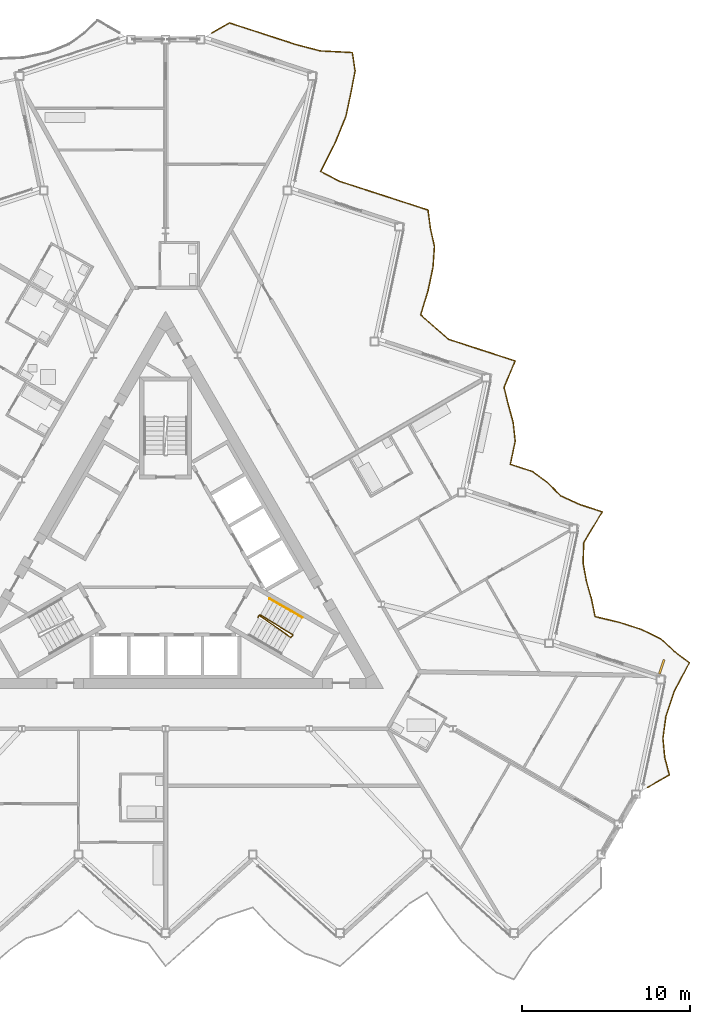
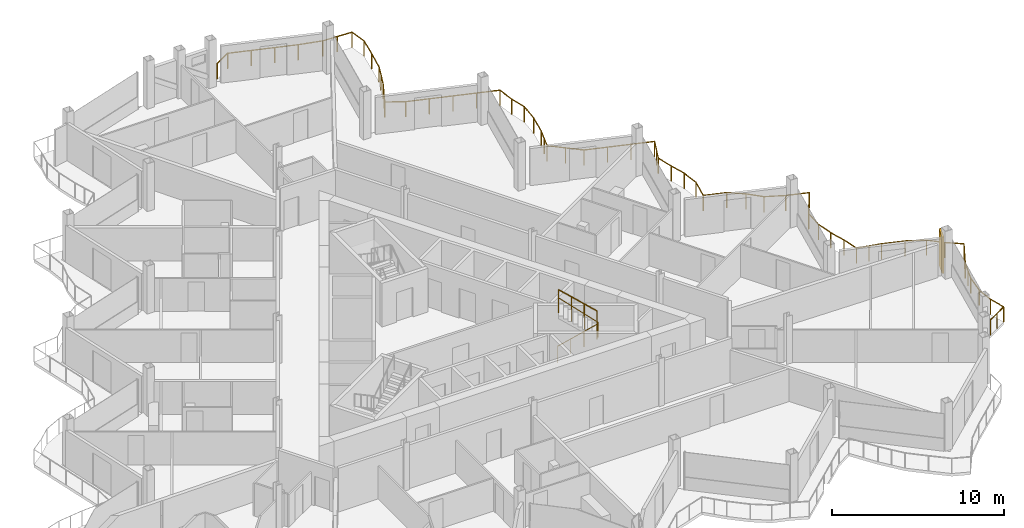
# One storey, part 23 of 26: 3 railings, 1 shading device.
"""IFC4 building model written with IfcOpenShell, lengths in metres."""

from ifc_helpers import new_model, si_unit, direction, frame, origin, origin_2d, place, context, subcontext, project, spatial, rectangle, circle, extrude, material, layer, layer_set, type_object, element, save


model = new_model("IFC4")

# Units and contexts
model_context = context("Model", 3, precision=1e-05, world=origin(), true_north=direction((0.0, 1.0)))
body_context = subcontext(model_context, "Body", "Model", "MODEL_VIEW")
ifc_project = project(units=[si_unit("LENGTHUNIT", "METRE"), si_unit("AREAUNIT", "SQUARE_METRE"), si_unit("VOLUMEUNIT", "CUBIC_METRE"), si_unit("PLANEANGLEUNIT", "RADIAN"), si_unit("MASSUNIT", "GRAM", prefix="KILO")], contexts=[model_context])

# Site, building, storey
site_placement = place(None, origin())
site = spatial("IfcSite", under=ifc_project, at=site_placement, CompositionType="ELEMENT")
building_placement = place(site_placement, origin())
building = spatial("IfcBuilding", under=site, at=building_placement, Name="Cormorant Prow Tower", CompositionType="ELEMENT")
storey_placement = place(building_placement, frame((0.0, 0.0, 388.199951171875)))
storey = spatial("IfcBuildingStorey", under=building, at=storey_placement, Name="L88", CompositionType="ELEMENT", Elevation=388.199951171875)

# Railings
ifc_material_1 = material(Name="Aluminium 6063-T6", Category="aluminium")
railing_type_1 = type_object("IfcRailingType", Name="Balcony guard 1100", PredefinedType="GUARDRAIL", material=ifc_material_1)
railing_1_placement = place(storey_placement, frame((28.752685546875, -13.421875, 0.0)))
element("IfcRailing", 1, at=railing_1_placement, inside=storey, type_object=railing_type_1, Name="Balcony guard ENE", PredefinedType="GUARDRAIL", context=body_context, shape_type="SweptSolid", body=[
    extrude(circle(Radius=0.02392578125, at=origin_2d()), frame((0.0, 0.0, 1.076171875), z_axis=(0.866030456496, 0.499991248344, 0.0), x_axis=(-0.499991248344, 0.866030456496, 0.0)), (0.0, 0.0, 1.0), 1.52001953125),
    extrude(circle(Radius=0.02392578125, at=origin_2d()), frame((1.31640625, 0.760009765625, 1.076171875), z_axis=(-0.25456018567, 0.967056933108, 0.0), x_axis=(-0.967056933108, -0.25456018567, 0.0)), (0.0, 0.0, 1.0), 1.077880859375),
    extrude(circle(Radius=0.02392578125, at=origin_2d()), frame((1.0419921875, 1.802490234375, 1.076171875), z_axis=(-0.094345723929, 0.995539494132, 0.0), x_axis=(-0.995539494132, -0.094345723929, 0.0)), (0.0, 0.0, 1.0), 1.143798828125),
    extrude(circle(Radius=0.02392578125, at=origin_2d()), frame((0.93408203125, 2.941162109375, 1.076171875), z_axis=(0.133927756616, 0.990991097845, 0.0), x_axis=(-0.990991097845, 0.133927756616, 0.0)), (0.0, 0.0, 1.0), 1.314208984375),
    extrude(circle(Radius=0.02392578125, at=origin_2d()), frame((1.110107421875, 4.24365234375, 1.076171875), z_axis=(0.315432447074, 0.948948034053, 0.0), x_axis=(-0.948948034053, 0.315432447074, 0.0)), (0.0, 0.0, 1.0), 1.565673828125),
    extrude(circle(Radius=0.02392578125, at=origin_2d()), frame((1.60400390625, 5.7294921875, 1.076171875), z_axis=(0.465555422045, 0.885018728053, 0.0), x_axis=(-0.885018728053, 0.465555422045, 0.0)), (0.0, 0.0, 1.0), 1.94921875),
    extrude(circle(Radius=0.02392578125, at=origin_2d()), frame((2.511474609375, 7.45458984375, 1.076171875), z_axis=(-0.799273587813, 0.60096733008, 0.0), x_axis=(-0.60096733008, -0.799273587813, 0.0)), (0.0, 0.0, 1.0), 1.130126953125),
    extrude(circle(Radius=0.02392578125, at=origin_2d()), frame((1.608154296875, 8.1337890625, 1.076171875), z_axis=(-0.732545721548, 0.680717831294, 0.0), x_axis=(-0.680717831294, -0.732545721548, 0.0)), (0.0, 0.0, 1.0), 1.088134765625),
    extrude(circle(Radius=0.02392578125, at=origin_2d()), frame((0.81103515625, 8.87451171875, 1.076171875), z_axis=(-0.897448694974, 0.441118850072, 0.0), x_axis=(-0.441118850072, -0.897448694974, 0.0)), (0.0, 0.0, 1.0), 1.251953125),
    extrude(circle(Radius=0.02392578125, at=origin_2d()), frame((-0.3125, 9.4267578125, 1.076171875), z_axis=(-0.951012270488, 0.309153135811, 0.0), x_axis=(-0.309153135811, -0.951012270488, 0.0)), (0.0, 0.0, 1.0), 1.3994140625),
    extrude(circle(Radius=0.02392578125, at=origin_2d()), frame((-1.643310546875, 9.859375, 1.076171875), z_axis=(-0.972903010085, 0.231213608959, 0.0), x_axis=(-0.231213608959, -0.972903010085, 0.0)), (0.0, 0.0, 1.0), 1.51416015625),
    extrude(circle(Radius=0.02392578125, at=origin_2d()), frame((-3.116455078125, 10.20947265625, 1.076171875), z_axis=(-0.201596352641, 0.979468687913, 0.0), x_axis=(-0.979468687913, -0.201596352641, 0.0)), (0.0, 0.0, 1.0), 1.095947265625),
    extrude(circle(Radius=0.02392578125, at=origin_2d()), frame((-3.33740234375, 11.282958984375, 1.076171875), z_axis=(-0.276315315013, 0.961067035482, 0.0), x_axis=(-0.961067035482, -0.276315315013, 0.0)), (0.0, 0.0, 1.0), 1.07177734375),
    extrude(circle(Radius=0.02392578125, at=origin_2d()), frame((-3.633544921875, 12.31298828125, 1.076171875), z_axis=(-0.179760955781, 0.983710322593, 0.0), x_axis=(-0.983710322593, -0.179760955781, 0.0)), (0.0, 0.0, 1.0), 1.104248046875),
    extrude(circle(Radius=0.02392578125, at=origin_2d()), frame((-3.83203125, 13.399169921875, 1.076171875), z_axis=(0.035421803322, 0.999372451016, 0.0), x_axis=(-0.999372451016, 0.035421803322, 0.0)), (0.0, 0.0, 1.0), 1.226806640625),
    extrude(circle(Radius=0.02392578125, at=origin_2d()), frame((-3.78857421875, 14.625244140625, 1.076171875), z_axis=(0.513992423675, 0.857794723932, 0.0), x_axis=(-0.857794723932, 0.513992423675, 0.0)), (0.0, 0.0, 1.0), 2.140380859375),
    extrude(circle(Radius=0.02392578125, at=origin_2d()), frame((-2.6884765625, 16.461181640625, 1.076171875), z_axis=(-0.951080208938, 0.308944066403, 0.0), x_axis=(-0.308944066403, -0.951080208938, 0.0)), (0.0, 0.0, 1.0), 1.3994140625),
    extrude(circle(Radius=0.02392578125, at=origin_2d()), frame((-4.01953125, 16.8935546875, 1.076171875), z_axis=(-0.909282126694, 0.416180266321, 0.0), x_axis=(-0.416180266321, -0.909282126694, 0.0)), (0.0, 0.0, 1.0), 1.27587890625),
    extrude(circle(Radius=0.02392578125, at=origin_2d()), frame((-5.1796875, 17.424560546875, 1.076171875), z_axis=(-0.701747981526, 0.712425273572, 0.0), x_axis=(-0.712425273572, -0.701747981526, 0.0)), (0.0, 0.0, 1.0), 1.07470703125),
    extrude(circle(Radius=0.02392578125, at=origin_2d()), frame((-5.933837890625, 18.190185546875, 1.076171875), z_axis=(-0.802655426289, 0.596443012072, 0.0), x_axis=(-0.596443012072, -0.802655426289, 0.0)), (0.0, 0.0, 1.0), 1.133056640625),
    extrude(circle(Radius=0.02392578125, at=origin_2d()), frame((-6.84326171875, 18.865966796875, 1.076171875), z_axis=(-0.951080208938, 0.308944066403, 0.0), x_axis=(-0.308944066403, -0.951080208938, 0.0)), (0.0, 0.0, 1.0), 1.3994140625),
    extrude(circle(Radius=0.02392578125, at=origin_2d()), frame((-8.17431640625, 19.29833984375, 1.076171875), z_axis=(0.207944297815, 0.978140669335, 0.0), x_axis=(-0.978140669335, 0.207944297815, 0.0)), (0.0, 0.0, 1.0), 1.3994140625),
    extrude(circle(Radius=0.02392578125, at=origin_2d()), frame((-7.88330078125, 20.667236328125, 1.076171875), z_axis=(-0.107602333357, 0.994194014192, 0.0), x_axis=(-0.994194014192, -0.107602333357, 0.0)), (0.0, 0.0, 1.0), 1.13671875),
    extrude(circle(Radius=0.02392578125, at=origin_2d()), frame((-8.005615234375, 21.79736328125, 1.076171875), z_axis=(-0.264808083684, 0.964301134924, 0.0), x_axis=(-0.964301134924, -0.264808083684, 0.0)), (0.0, 0.0, 1.0), 1.074951171875),
    extrude(circle(Radius=0.02392578125, at=origin_2d()), frame((-8.290283203125, 22.833984375, 1.076171875), z_axis=(-0.24142060339, 0.970420574936, 0.0), x_axis=(-0.970420574936, -0.24142060339, 0.0)), (0.0, 0.0, 1.0), 1.08203125),
    extrude(circle(Radius=0.02392578125, at=origin_2d()), frame((-8.551513671875, 23.884033203125, 1.076171875), z_axis=(0.386078994562, 0.922465722918, 0.0), x_axis=(-0.922465722918, 0.386078994562, 0.0)), (0.0, 0.0, 1.0), 1.716796875),
    extrude(circle(Radius=0.02392578125, at=origin_2d()), frame((-7.888671875, 25.4677734375, 1.076171875), z_axis=(-0.951063554534, 0.308995332064, 0.0), x_axis=(-0.308995332064, -0.951063554534, 0.0)), (0.0, 0.0, 1.0), 1.399169921875),
    extrude(circle(Radius=0.02392578125, at=origin_2d()), frame((-9.219482421875, 25.900146484375, 1.076171875), z_axis=(-0.951028941009, 0.309101849499, 0.0), x_axis=(-0.309101849499, -0.951028941009, 0.0)), (0.0, 0.0, 1.0), 1.399658203125),
    extrude(circle(Radius=0.02392578125, at=origin_2d()), frame((-10.550537109375, 26.332763671875, 1.076171875), z_axis=(-0.951080208938, 0.308944066403, 0.0), x_axis=(-0.308944066403, -0.951080208938, 0.0)), (0.0, 0.0, 1.0), 1.3994140625),
    extrude(circle(Radius=0.02392578125, at=origin_2d()), frame((-11.881591796875, 26.76513671875, 1.076171875), z_axis=(-0.751321904946, 0.659935902303, 0.0), x_axis=(-0.659935902303, -0.751321904946, 0.0)), (0.0, 0.0, 1.0), 1.097900390625),
    extrude(circle(Radius=0.02392578125, at=origin_2d()), frame((-12.70654296875, 27.48974609375, 1.076171875), z_axis=(-0.745783361413, 0.666188545263, 0.0), x_axis=(-0.666188545263, -0.745783361413, 0.0)), (0.0, 0.0, 1.0), 1.094970703125),
    extrude(circle(Radius=0.02392578125, at=origin_2d()), frame((-13.523193359375, 28.21923828125, 1.076171875), z_axis=(0.289499043639, 0.957178302999, 0.0), x_axis=(-0.957178302999, 0.289499043639, 0.0)), (0.0, 0.0, 1.0), 1.519775390625),
    extrude(circle(Radius=0.02392578125, at=origin_2d()), frame((-13.083251953125, 29.673828125, 1.076171875), z_axis=(0.20777738218, 0.978176139279, 0.0), x_axis=(-0.978176139279, 0.20777738218, 0.0)), (0.0, 0.0, 1.0), 1.3994140625),
    extrude(circle(Radius=0.02392578125, at=origin_2d()), frame((-12.79248046875, 31.042724609375, 1.076171875), z_axis=(0.072089367542, 0.997398176802, 0.0), x_axis=(-0.997398176802, 0.072089367542, 0.0)), (0.0, 0.0, 1.0), 1.25634765625),
    extrude(circle(Radius=0.02392578125, at=origin_2d()), frame((-12.701904296875, 32.2958984375, 1.076171875), z_axis=(-0.221107375774, 0.975249469817, 0.0), x_axis=(-0.975249469817, -0.221107375774, 0.0)), (0.0, 0.0, 1.0), 1.088623046875),
    extrude(circle(Radius=0.02392578125, at=origin_2d()), frame((-12.942626953125, 33.357666015625, 1.076171875), z_axis=(-0.129635742751, 0.991561684517, 0.0), x_axis=(-0.991561684517, -0.129635742751, 0.0)), (0.0, 0.0, 1.0), 1.126220703125),
    extrude(circle(Radius=0.02392578125, at=origin_2d()), frame((-13.088623046875, 34.474365234375, 1.076171875), z_axis=(-0.951028941009, 0.309101849499, 0.0), x_axis=(-0.309101849499, -0.951028941009, 0.0)), (0.0, 0.0, 1.0), 1.399658203125),
    extrude(circle(Radius=0.02392578125, at=origin_2d()), frame((-14.419677734375, 34.906982421875, 1.076171875), z_axis=(-0.951063554534, 0.308995332064, 0.0), x_axis=(-0.308995332064, -0.951063554534, 0.0)), (0.0, 0.0, 1.0), 1.399169921875),
    extrude(circle(Radius=0.02392578125, at=origin_2d()), frame((-15.75048828125, 35.33935546875, 1.076171875), z_axis=(-0.951080208938, 0.308944066403, 0.0), x_axis=(-0.308944066403, -0.951080208938, 0.0)), (0.0, 0.0, 1.0), 1.3994140625),
    extrude(circle(Radius=0.02392578125, at=origin_2d()), frame((-17.08154296875, 35.771728515625, 1.076171875), z_axis=(-0.951028941009, 0.309101849499, 0.0), x_axis=(-0.309101849499, -0.951028941009, 0.0)), (0.0, 0.0, 1.0), 1.399658203125),
    extrude(circle(Radius=0.02392578125, at=origin_2d()), frame((-18.41259765625, 36.204345703125, 1.076171875), z_axis=(-0.881977391016, 0.471291716176, 0.0), x_axis=(-0.471291716176, -0.881977391016, 0.0)), (0.0, 0.0, 1.0), 1.224609375),
    extrude(circle(Radius=0.02392578125, at=origin_2d()), frame((-19.49267578125, 36.781494140625, 1.076171875), z_axis=(0.451268220135, 0.892388364725, 0.0), x_axis=(-0.892388364725, 0.451268220135, 0.0)), (0.0, 0.0, 1.0), 1.900634765625),
    extrude(circle(Radius=0.02392578125, at=origin_2d()), frame((-18.635009765625, 38.4775390625, 1.076171875), z_axis=(0.378369741476, 0.925654546111, 0.0), x_axis=(-0.925654546111, 0.378369741476, 0.0)), (0.0, 0.0, 1.0), 1.6982421875),
    extrude(circle(Radius=0.02392578125, at=origin_2d()), frame((-17.992431640625, 40.049560546875, 1.076171875), z_axis=(0.207944297815, 0.978140669335, 0.0), x_axis=(-0.978140669335, 0.207944297815, 0.0)), (0.0, 0.0, 1.0), 1.3994140625),
    extrude(circle(Radius=0.02392578125, at=origin_2d()), frame((-17.701416015625, 41.41845703125, 1.076171875), z_axis=(0.191139913885, 0.981562801516, 0.0), x_axis=(-0.981562801516, 0.191139913885, 0.0)), (0.0, 0.0, 1.0), 1.378173828125),
    extrude(circle(Radius=0.02392578125, at=origin_2d()), frame((-17.43798828125, 42.771240234375, 1.076171875), z_axis=(-0.149494601808, 0.988762541782, 0.0), x_axis=(-0.988762541782, -0.149494601808, 0.0)), (0.0, 0.0, 1.0), 1.116943359375),
    extrude(circle(Radius=0.02392578125, at=origin_2d()), frame((-17.60498046875, 43.875732421875, 1.076171875), z_axis=(-0.998745657761, 0.050071060531, 0.0), x_axis=(-0.050071060531, -0.998745657761, 0.0)), (0.0, 0.0, 1.0), 1.916259765625),
    extrude(circle(Radius=0.02392578125, at=origin_2d()), frame((-19.518798828125, 43.9716796875, 1.076171875), z_axis=(-0.967496287377, 0.252885218849, 0.0), x_axis=(-0.252885218849, -0.967496287377, 0.0)), (0.0, 0.0, 1.0), 1.47998046875),
    extrude(circle(Radius=0.02392578125, at=origin_2d()), frame((-20.95068359375, 44.345947265625, 1.076171875), z_axis=(-0.951012270488, 0.309153135811, 0.0), x_axis=(-0.309153135811, -0.951012270488, 0.0)), (0.0, 0.0, 1.0), 1.3994140625),
    extrude(circle(Radius=0.02392578125, at=origin_2d()), frame((-22.281494140625, 44.778564453125, 1.076171875), z_axis=(-0.951080208938, 0.308944066403, 0.0), x_axis=(-0.308944066403, -0.951080208938, 0.0)), (0.0, 0.0, 1.0), 1.3994140625),
    extrude(circle(Radius=0.02392578125, at=origin_2d()), frame((-23.612548828125, 45.2109375, 1.076171875), z_axis=(-0.951063554534, 0.308995332064, 0.0), x_axis=(-0.308995332064, -0.951063554534, 0.0)), (0.0, 0.0, 1.0), 1.399169921875),
    extrude(circle(Radius=0.02392578125, at=origin_2d()), frame((-24.943359375, 45.643310546875, 1.076171875), z_axis=(-0.866092288191, -0.499884134912, 0.0), x_axis=(0.499884134912, -0.866092288191, 0.0)), (0.0, 0.0, 1.0), 1.219970703125),
    extrude(circle(Radius=0.02099609375, at=origin_2d()), origin(), (0.0, 0.0, 1.0), 1.052001953125),
    extrude(circle(Radius=0.02099609375, at=origin_2d()), frame((0.658203125, 0.3798828125, 0.0)), (0.0, 0.0, 1.0), 1.052001953125),
    extrude(circle(Radius=0.02099609375, at=origin_2d()), frame((1.31640625, 0.760009765625, 0.0)), (0.0, 0.0, 1.0), 1.052001953125),
    extrude(circle(Radius=0.02099609375, at=origin_2d()), frame((1.0419921875, 1.802490234375, 0.0)), (0.0, 0.0, 1.0), 1.052001953125),
    extrude(circle(Radius=0.02099609375, at=origin_2d()), frame((0.93408203125, 2.941162109375, 0.0)), (0.0, 0.0, 1.0), 1.052001953125),
    extrude(circle(Radius=0.02099609375, at=origin_2d()), frame((1.110107421875, 4.24365234375, 0.0)), (0.0, 0.0, 1.0), 1.052001953125),
    extrude(circle(Radius=0.02099609375, at=origin_2d()), frame((1.35693359375, 4.986572265625, 0.0)), (0.0, 0.0, 1.0), 1.052001953125),
    extrude(circle(Radius=0.02099609375, at=origin_2d()), frame((1.60400390625, 5.7294921875, 0.0)), (0.0, 0.0, 1.0), 1.052001953125),
    extrude(circle(Radius=0.02099609375, at=origin_2d()), frame((2.0576171875, 6.592041015625, 0.0)), (0.0, 0.0, 1.0), 1.052001953125),
    extrude(circle(Radius=0.02099609375, at=origin_2d()), frame((2.511474609375, 7.45458984375, 0.0)), (0.0, 0.0, 1.0), 1.052001953125),
    extrude(circle(Radius=0.02099609375, at=origin_2d()), frame((1.608154296875, 8.1337890625, 0.0)), (0.0, 0.0, 1.0), 1.052001953125),
    extrude(circle(Radius=0.02099609375, at=origin_2d()), frame((0.81103515625, 8.87451171875, 0.0)), (0.0, 0.0, 1.0), 1.052001953125),
    extrude(circle(Radius=0.02099609375, at=origin_2d()), frame((-0.3125, 9.4267578125, 0.0)), (0.0, 0.0, 1.0), 1.052001953125),
    extrude(circle(Radius=0.02099609375, at=origin_2d()), frame((-1.643310546875, 9.859375, 0.0)), (0.0, 0.0, 1.0), 1.052001953125),
    extrude(circle(Radius=0.02099609375, at=origin_2d()), frame((-2.3798828125, 10.034423828125, 0.0)), (0.0, 0.0, 1.0), 1.052001953125),
    extrude(circle(Radius=0.02099609375, at=origin_2d()), frame((-3.116455078125, 10.20947265625, 0.0)), (0.0, 0.0, 1.0), 1.052001953125),
    extrude(circle(Radius=0.02099609375, at=origin_2d()), frame((-3.33740234375, 11.282958984375, 0.0)), (0.0, 0.0, 1.0), 1.052001953125),
    extrude(circle(Radius=0.02099609375, at=origin_2d()), frame((-3.633544921875, 12.31298828125, 0.0)), (0.0, 0.0, 1.0), 1.052001953125),
    extrude(circle(Radius=0.02099609375, at=origin_2d()), frame((-3.83203125, 13.399169921875, 0.0)), (0.0, 0.0, 1.0), 1.052001953125),
    extrude(circle(Radius=0.02099609375, at=origin_2d()), frame((-3.78857421875, 14.625244140625, 0.0)), (0.0, 0.0, 1.0), 1.052001953125),
    extrude(circle(Radius=0.02099609375, at=origin_2d()), frame((-3.238525390625, 15.543212890625, 0.0)), (0.0, 0.0, 1.0), 1.052001953125),
    extrude(circle(Radius=0.02099609375, at=origin_2d()), frame((-2.6884765625, 16.461181640625, 0.0)), (0.0, 0.0, 1.0), 1.052001953125),
    extrude(circle(Radius=0.02099609375, at=origin_2d()), frame((-4.01953125, 16.8935546875, 0.0)), (0.0, 0.0, 1.0), 1.052001953125),
    extrude(circle(Radius=0.02099609375, at=origin_2d()), frame((-5.1796875, 17.424560546875, 0.0)), (0.0, 0.0, 1.0), 1.052001953125),
    extrude(circle(Radius=0.02099609375, at=origin_2d()), frame((-5.933837890625, 18.190185546875, 0.0)), (0.0, 0.0, 1.0), 1.052001953125),
    extrude(circle(Radius=0.02099609375, at=origin_2d()), frame((-6.84326171875, 18.865966796875, 0.0)), (0.0, 0.0, 1.0), 1.052001953125),
    extrude(circle(Radius=0.02099609375, at=origin_2d()), frame((-8.17431640625, 19.29833984375, 0.0)), (0.0, 0.0, 1.0), 1.052001953125),
    extrude(circle(Radius=0.02099609375, at=origin_2d()), frame((-7.88330078125, 20.667236328125, 0.0)), (0.0, 0.0, 1.0), 1.052001953125),
    extrude(circle(Radius=0.02099609375, at=origin_2d()), frame((-8.005615234375, 21.79736328125, 0.0)), (0.0, 0.0, 1.0), 1.052001953125),
    extrude(circle(Radius=0.02099609375, at=origin_2d()), frame((-8.290283203125, 22.833984375, 0.0)), (0.0, 0.0, 1.0), 1.052001953125),
    extrude(circle(Radius=0.02099609375, at=origin_2d()), frame((-8.551513671875, 23.884033203125, 0.0)), (0.0, 0.0, 1.0), 1.052001953125),
    extrude(circle(Radius=0.02099609375, at=origin_2d()), frame((-8.22021484375, 24.67578125, 0.0)), (0.0, 0.0, 1.0), 1.052001953125),
    extrude(circle(Radius=0.02099609375, at=origin_2d()), frame((-7.888671875, 25.4677734375, 0.0)), (0.0, 0.0, 1.0), 1.052001953125),
    extrude(circle(Radius=0.02099609375, at=origin_2d()), frame((-9.219482421875, 25.900146484375, 0.0)), (0.0, 0.0, 1.0), 1.052001953125),
    extrude(circle(Radius=0.02099609375, at=origin_2d()), frame((-10.550537109375, 26.332763671875, 0.0)), (0.0, 0.0, 1.0), 1.052001953125),
    extrude(circle(Radius=0.02099609375, at=origin_2d()), frame((-11.881591796875, 26.76513671875, 0.0)), (0.0, 0.0, 1.0), 1.052001953125),
    extrude(circle(Radius=0.02099609375, at=origin_2d()), frame((-12.70654296875, 27.48974609375, 0.0)), (0.0, 0.0, 1.0), 1.052001953125),
    extrude(circle(Radius=0.02099609375, at=origin_2d()), frame((-13.523193359375, 28.21923828125, 0.0)), (0.0, 0.0, 1.0), 1.052001953125),
    extrude(circle(Radius=0.02099609375, at=origin_2d()), frame((-13.30322265625, 28.946533203125, 0.0)), (0.0, 0.0, 1.0), 1.052001953125),
    extrude(circle(Radius=0.02099609375, at=origin_2d()), frame((-13.083251953125, 29.673828125, 0.0)), (0.0, 0.0, 1.0), 1.052001953125),
    extrude(circle(Radius=0.02099609375, at=origin_2d()), frame((-12.79248046875, 31.042724609375, 0.0)), (0.0, 0.0, 1.0), 1.052001953125),
    extrude(circle(Radius=0.02099609375, at=origin_2d()), frame((-12.701904296875, 32.2958984375, 0.0)), (0.0, 0.0, 1.0), 1.052001953125),
    extrude(circle(Radius=0.02099609375, at=origin_2d()), frame((-12.942626953125, 33.357666015625, 0.0)), (0.0, 0.0, 1.0), 1.052001953125),
    extrude(circle(Radius=0.02099609375, at=origin_2d()), frame((-13.088623046875, 34.474365234375, 0.0)), (0.0, 0.0, 1.0), 1.052001953125),
    extrude(circle(Radius=0.02099609375, at=origin_2d()), frame((-14.419677734375, 34.906982421875, 0.0)), (0.0, 0.0, 1.0), 1.052001953125),
    extrude(circle(Radius=0.02099609375, at=origin_2d()), frame((-15.75048828125, 35.33935546875, 0.0)), (0.0, 0.0, 1.0), 1.052001953125),
    extrude(circle(Radius=0.02099609375, at=origin_2d()), frame((-17.08154296875, 35.771728515625, 0.0)), (0.0, 0.0, 1.0), 1.052001953125),
    extrude(circle(Radius=0.02099609375, at=origin_2d()), frame((-18.41259765625, 36.204345703125, 0.0)), (0.0, 0.0, 1.0), 1.052001953125),
    extrude(circle(Radius=0.02099609375, at=origin_2d()), frame((-19.49267578125, 36.781494140625, 0.0)), (0.0, 0.0, 1.0), 1.052001953125),
    extrude(circle(Radius=0.02099609375, at=origin_2d()), frame((-19.06396484375, 37.62939453125, 0.0)), (0.0, 0.0, 1.0), 1.052001953125),
    extrude(circle(Radius=0.02099609375, at=origin_2d()), frame((-18.635009765625, 38.4775390625, 0.0)), (0.0, 0.0, 1.0), 1.052001953125),
    extrude(circle(Radius=0.02099609375, at=origin_2d()), frame((-18.313720703125, 39.263671875, 0.0)), (0.0, 0.0, 1.0), 1.052001953125),
    extrude(circle(Radius=0.02099609375, at=origin_2d()), frame((-17.992431640625, 40.049560546875, 0.0)), (0.0, 0.0, 1.0), 1.052001953125),
    extrude(circle(Radius=0.02099609375, at=origin_2d()), frame((-17.701416015625, 41.41845703125, 0.0)), (0.0, 0.0, 1.0), 1.052001953125),
    extrude(circle(Radius=0.02099609375, at=origin_2d()), frame((-17.43798828125, 42.771240234375, 0.0)), (0.0, 0.0, 1.0), 1.052001953125),
    extrude(circle(Radius=0.02099609375, at=origin_2d()), frame((-17.60498046875, 43.875732421875, 0.0)), (0.0, 0.0, 1.0), 1.052001953125),
    extrude(circle(Radius=0.02099609375, at=origin_2d()), frame((-18.56201171875, 43.923828125, 0.0)), (0.0, 0.0, 1.0), 1.052001953125),
    extrude(circle(Radius=0.02099609375, at=origin_2d()), frame((-19.518798828125, 43.9716796875, 0.0)), (0.0, 0.0, 1.0), 1.052001953125),
    extrude(circle(Radius=0.02099609375, at=origin_2d()), frame((-20.95068359375, 44.345947265625, 0.0)), (0.0, 0.0, 1.0), 1.052001953125),
    extrude(circle(Radius=0.02099609375, at=origin_2d()), frame((-22.281494140625, 44.778564453125, 0.0)), (0.0, 0.0, 1.0), 1.052001953125),
    extrude(circle(Radius=0.02099609375, at=origin_2d()), frame((-23.612548828125, 45.2109375, 0.0)), (0.0, 0.0, 1.0), 1.052001953125),
    extrude(circle(Radius=0.02099609375, at=origin_2d()), frame((-24.943359375, 45.643310546875, 0.0)), (0.0, 0.0, 1.0), 1.052001953125),
    extrude(circle(Radius=0.02099609375, at=origin_2d()), frame((-26.0, 45.033447265625, 0.0)), (0.0, 0.0, 1.0), 1.052001953125),
])
ifc_material_2 = material(Name="Stainless steel", Category="steel")
railing_type_2 = type_object("IfcRailingType", Name="Stair guard 1100", PredefinedType="GUARDRAIL", material=ifc_material_2)
railing_2_placement = place(storey_placement, frame((5.510009765625, -3.267822265625, 0.0)))
element("IfcRailing", 2, at=railing_2_placement, inside=storey, type_object=railing_type_2, Name="L88 ST2 stair guard 1", PredefinedType="GUARDRAIL", context=body_context, shape_type="SweptSolid", body=[
    extrude(circle(Radius=0.02392578125, at=origin_2d()), frame((0.0, 0.0, 1.076171875), z_axis=(0.501036270542, 0.865426285481, 0.0), x_axis=(-0.865426285481, 0.501036270542, 0.0)), (0.0, 0.0, 1.0), 0.150146484375),
    extrude(circle(Radius=0.02392578125, at=origin_2d()), frame((0.0751953125, 0.1298828125, 1.076171875), z_axis=(0.658670593711, -0.461060875852, 0.594622500196), x_axis=(0.573455215813, 0.819236910458, 0.0)), (0.0, 0.0, 1.0), 2.85888671875),
    extrude(circle(Radius=0.02392578125, at=origin_2d()), frame((1.958251953125, -1.188232421875, 2.77587890625), z_axis=(0.695164929852, 0.718850276695, 0.0), x_axis=(-0.718850276695, 0.695164929852, 0.0)), (0.0, 0.0, 1.0), 0.2060546875),
    extrude(circle(Radius=0.02392578125, at=origin_2d()), frame((2.1015625, -1.0400390625, 2.77587890625), z_axis=(-0.686480346808, 0.416544052851, 0.596016598326), x_axis=(-0.518752825935, -0.854924268918, 0.0)), (0.0, 0.0, 1.0), 2.8525390625),
    extrude(circle(Radius=0.02099609375, at=origin_2d()), origin(), (0.0, 0.0, 1.0), 1.052001953125),
    extrude(circle(Radius=0.02099609375, at=origin_2d()), frame((0.0751953125, 0.1298828125, 0.0)), (0.0, 0.0, 1.0), 1.052001953125),
    extrude(circle(Radius=0.02099609375, at=origin_2d()), frame((0.702880859375, -0.3095703125, 0.566650390625)), (0.0, 0.0, 1.0), 1.052001953125),
    extrude(circle(Radius=0.02099609375, at=origin_2d()), frame((1.33056640625, -0.748779296875, 1.13330078125)), (0.0, 0.0, 1.0), 1.052001953125),
    extrude(circle(Radius=0.02099609375, at=origin_2d()), frame((1.958251953125, -1.188232421875, 1.699951171875)), (0.0, 0.0, 1.0), 1.052001953125),
    extrude(circle(Radius=0.02099609375, at=origin_2d()), frame((2.1015625, -1.0400390625, 1.699951171875)), (0.0, 0.0, 1.0), 1.052001953125),
    extrude(circle(Radius=0.02099609375, at=origin_2d()), frame((1.44873046875, -0.64404296875, 2.2666015625)), (0.0, 0.0, 1.0), 1.052001953125),
    extrude(circle(Radius=0.02099609375, at=origin_2d()), frame((0.796142578125, -0.247802734375, 2.83349609375)), (0.0, 0.0, 1.0), 1.052001953125),
    extrude(circle(Radius=0.02099609375, at=origin_2d()), frame((0.143310546875, 0.148193359375, 3.400146484375)), (0.0, 0.0, 1.0), 1.052001953125),
])
ifc_material_3 = material(Name="Stainless steel", Category="steel")
railing_type_3 = type_object("IfcRailingType", Name="Stair handrail 900", PredefinedType="HANDRAIL", material=ifc_material_3)
railing_3_placement = place(storey_placement, frame((8.15283203125, -3.2705078125, 1.888916015625)))
element("IfcRailing", 3, at=railing_3_placement, inside=storey, type_object=railing_type_3, Name="L88 ST2 stair handrail 2", PredefinedType="HANDRAIL", context=body_context, shape_type="SweptSolid", body=[
    extrude(circle(Radius=0.02392578125, at=origin_2d()), frame((0.0, 0.0, 0.8759765625), z_axis=(-0.717940317343, 0.414446543626, 0.55928147047), x_axis=(-0.49994888933, -0.866054910533, 0.0)), (0.0, 0.0, 1.0), 2.7021484375),
    extrude(circle(Radius=0.02099609375, at=origin_2d()), origin(), (0.0, 0.0, 1.0), 0.851806640625),
    extrude(circle(Radius=0.02099609375, at=origin_2d()), frame((-0.646728515625, 0.373291015625, 0.503662109375)), (0.0, 0.0, 1.0), 0.851806640625),
    extrude(circle(Radius=0.02099609375, at=origin_2d()), frame((-1.293212890625, 0.74658203125, 1.007568359375)), (0.0, 0.0, 1.0), 0.851806640625),
    extrude(circle(Radius=0.02099609375, at=origin_2d()), frame((-1.93994140625, 1.119873046875, 1.51123046875)), (0.0, 0.0, 1.0), 0.851806640625),
])

# Shading device
ifc_material_4 = material(Name="Terracotta", Category="masonry")
ifc_layer = layer(ifc_material_4, 0.1201171875)
ifc_layer_set = layer_set([ifc_layer], Name="Terracotta")
shading_device_type = type_object("IfcShadingDeviceType", Name="Terracotta baguette fin 120x900x2600", PredefinedType="USERDEFINED", material=ifc_layer_set)
shading_device_placement = place(storey_placement, frame((29.6123046875, -6.207763671875, 0.0), z_axis=(0.0, 0.0, 1.0), x_axis=(-0.951056548553, 0.309016895096, 0.0)))
element("IfcShadingDevice", 4, at=shading_device_placement, inside=storey, type_object=shading_device_type, Name="Baguette fin ENE01", ObjectType="BAGUETTE", PredefinedType="USERDEFINED", context=body_context, shape_type="SweptSolid", body=[
    extrude(rectangle(XDim=0.1201171875, YDim=0.89990234375, at=origin_2d()), origin(), (0.0, 0.0, 1.0), 2.60009765625),
])

save(model, "model.ifc")
